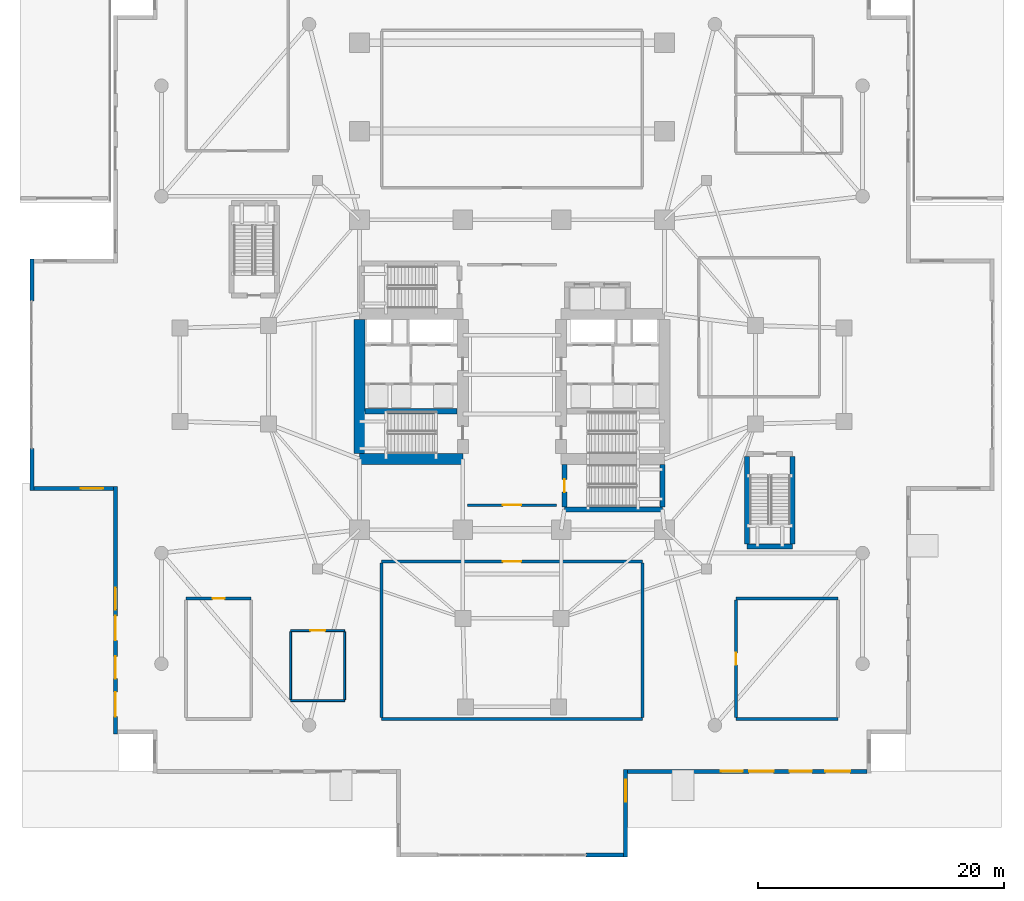
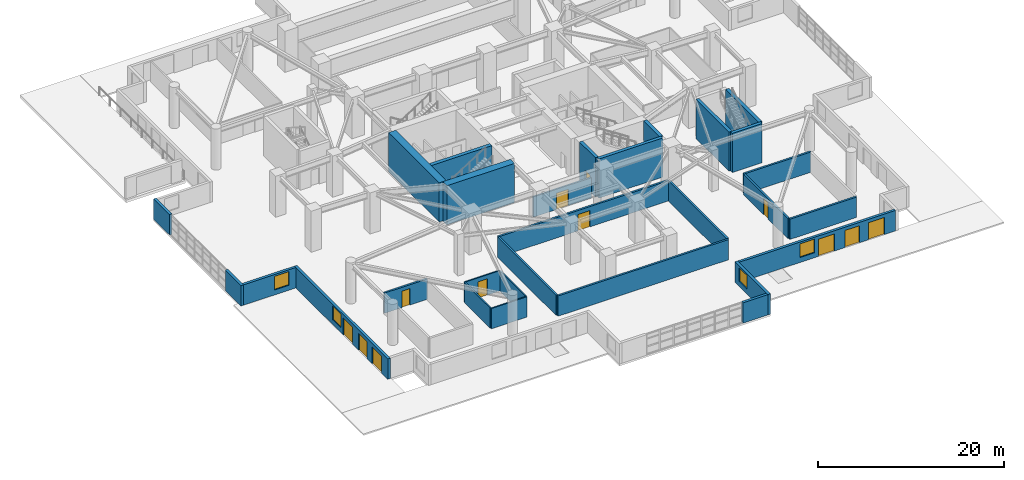
# One storey, part 13 of 24: 29 walls, 12 doors, 4 windows, 16 openings.
"""IFC4 building model written with IfcOpenShell, lengths in metres."""

from ifc_helpers import new_model, si_unit, direction, frame, frame_2d, origin, place, context, subcontext, project, spatial, rectangle, extrude, material, layer, layer_set, type_object, element, fill, save


model = new_model("IFC4")

# Units and contexts
model_context = context("Model", 3, precision=1e-05, world=origin(), true_north=direction((0.0, 1.0)))
body_context = subcontext(model_context, "Body", "Model", "MODEL_VIEW")
ifc_project = project(units=[si_unit("LENGTHUNIT", "METRE"), si_unit("AREAUNIT", "SQUARE_METRE"), si_unit("VOLUMEUNIT", "CUBIC_METRE"), si_unit("PLANEANGLEUNIT", "RADIAN"), si_unit("MASSUNIT", "GRAM", prefix="KILO")], contexts=[model_context])

# Site, building, storey
site_placement = place(None, origin())
site = spatial("IfcSite", under=ifc_project, at=site_placement, CompositionType="ELEMENT")
building_placement = place(site_placement, origin())
building = spatial("IfcBuilding", under=site, at=building_placement, Name="Qingluan Cross Belvedere", CompositionType="ELEMENT")
storey_placement = place(building_placement, origin())
storey = spatial("IfcBuildingStorey", under=building, at=storey_placement, Name="L01", CompositionType="ELEMENT", Elevation=0.0)

# Walls
ifc_material_1 = material(Name="Concrete C50", Category="concrete")
ifc_layer_1 = layer(ifc_material_1, 0.449951171875, Name="CoreShearWall_450")
ifc_layer_set_1 = layer_set([ifc_layer_1], Name="Concrete C50")
wall_type_1 = type_object("IfcWallType", Name="CoreShearWall_450", PredefinedType="SHEAR", material=ifc_layer_set_1)
wall_1_placement = place(storey_placement, frame((-11.945068359375, -2.9599609375, 0.0), z_axis=(0.0, 0.0, 1.0), x_axis=(1.0, 0.0, 0.0)))
element("IfcWall", 1, at=wall_1_placement, inside=storey, type_object=wall_type_1, Name="Split core W shear wall L01-M", PredefinedType="SHEAR", context=body_context, shape_type="SweptSolid", body=[
    extrude(rectangle(XDim=7.489990234375, YDim=0.449951171875, at=frame_2d((3.7451171875, 0.0))), origin(), (0.0, 0.0, 1.0), 5.14990234375),
])
wall_2_placement = place(storey_placement, frame((4.260009765625, -10.93994140625, 0.0), z_axis=(0.0, 0.0, 1.0), x_axis=(1.0, 0.0, 0.0)))
element("IfcWall", 2, at=wall_2_placement, inside=storey, type_object=wall_type_1, Name="Stair ST4 structural wall S L01", PredefinedType="SHEAR", context=body_context, shape_type="SweptSolid", body=[
    extrude(rectangle(XDim=7.9599609375, YDim=0.39990234375, at=frame_2d((3.97998046875, 0.0))), origin(), (0.0, 0.0, 1.0), 5.14990234375),
])

# Wall, opening, door
wall_3_placement = place(storey_placement, frame((4.260009765625, -10.735107421875, 0.0), z_axis=(0.0, 0.0, 1.0), x_axis=(0.0, 1.0, 0.0)))
wall_3 = element("IfcWall", 3, at=wall_3_placement, inside=storey, type_object=wall_type_1, Name="Stair ST4 structural wall W L01", PredefinedType="SHEAR", context=body_context, shape_type="SweptSolid", body=[
    extrude(rectangle(XDim=3.43017578125, YDim=0.39990234375, at=frame_2d((1.715087890625, 0.0))), origin(), (0.0, 0.0, 1.0), 5.14990234375),
])
opening_1_placement = place(wall_3_placement, frame((1.18505859375, 0.0, 0.0)))
opening_1 = element("IfcOpeningElement", 4, at=opening_1_placement, cuts=wall_3, Name="Opening FD-B11", PredefinedType="OPENING", context=body_context, shape_type="SweptSolid", body=[
    extrude(rectangle(XDim=1.050048828125, YDim=2.14990234375, at=frame_2d((0.52490234375, 1.074951171875))), frame((0.0, 0.2099609375, 0.0), z_axis=(0.0, -1.0, 0.0), x_axis=(1.0, 0.0, 0.0)), (0.0, 0.0, 1.0), 0.419921875),
])
ifc_material_2 = material(Name="Steel Class B smoke-seal fire door", Category="steel")
door_type_1 = type_object("IfcDoorType", Name="StairLobbyFireDoor_FDB", OperationType="NOTDEFINED", PredefinedType="DOOR", material=ifc_material_2)
door_1_placement = place(opening_1_placement, origin())
door_1 = element("IfcDoor", 5, at=door_1_placement, inside=storey, type_object=door_type_1, Name="Smoke-proof stair ST4 fire door L01", OperationType="SINGLE_SWING_LEFT", OverallHeight=2.14990234375, OverallWidth=1.050048828125, PredefinedType="DOOR", context=body_context, shape_type="SweptSolid", body=[
    extrude(rectangle(XDim=1.050048828125, YDim=2.14990234375, at=frame_2d((0.52490234375, 1.074951171875))), frame((0.0, 0.02490234375, 0.0), z_axis=(0.0, -1.0, 0.0), x_axis=(1.0, 0.0, 0.0)), (0.0, 0.0, 1.0), 0.050048828125),
])
fill(opening_1, door_1)

# Walls
wall_4_placement = place(storey_placement, frame((12.219970703125, -10.735107421875, 0.0), z_axis=(0.0, 0.0, 1.0), x_axis=(0.0, 1.0, 0.0)))
element("IfcWall", 6, at=wall_4_placement, inside=storey, type_object=wall_type_1, Name="Stair ST4 structural wall E L01", PredefinedType="SHEAR", context=body_context, shape_type="SweptSolid", body=[
    extrude(rectangle(XDim=3.43017578125, YDim=0.39990234375, at=frame_2d((1.715087890625, 0.0))), origin(), (0.0, 0.0, 1.0), 5.14990234375),
])
wall_5_placement = place(storey_placement, frame((19.1201171875, -13.949951171875, 0.0), z_axis=(0.0, 0.0, 1.0), x_axis=(1.0, 0.0, 0.0)))
element("IfcWall", 7, at=wall_5_placement, inside=storey, type_object=wall_type_1, Name="Stair ST6 structural wall S L01", PredefinedType="SHEAR", context=body_context, shape_type="SweptSolid", body=[
    extrude(rectangle(XDim=3.699951171875, YDim=0.39990234375, at=frame_2d((1.85009765625, 0.0))), origin(), (0.0, 0.0, 1.0), 5.14990234375),
])
for number, where, z_axis, x_axis, name in (
    (8, (19.1201171875, -13.7451171875, 0.0), (0.0, 0.0, 1.0), (0.0, 1.0, 0.0), "Stair ST6 structural wall W L01"),
    (9, (22.820068359375, -13.7451171875, 0.0), (0.0, 0.0, 1.0), (0.0, 1.0, 0.0), "Stair ST6 structural wall E L01"),
):
    element("IfcWall", number, at=place(storey_placement, frame(where, z_axis=z_axis, x_axis=x_axis)), inside=storey, type_object=wall_type_1, Name=name, PredefinedType="SHEAR", context=body_context, shape_type="SweptSolid", body=[
        extrude(rectangle(XDim=7.110107421875, YDim=0.39990234375, at=frame_2d((3.55517578125, 0.0))), origin(), (0.0, 0.0, 1.0), 5.14990234375),
    ])
ifc_material_3 = material(Name="Concrete C70", Category="concrete")
ifc_layer_2 = layer(ifc_material_3, 0.89990234375, Name="CoreShearWall_900")
ifc_layer_set_2 = layer_set([ifc_layer_2], Name="Concrete C70")
wall_type_2 = type_object("IfcWallType", Name="CoreShearWall_900", PredefinedType="SHEAR", material=ifc_layer_set_2)
wall_6_placement = place(storey_placement, frame((-12.39990234375, -6.85009765625, 0.0), z_axis=(0.0, 0.0, 1.0), x_axis=(1.0, 0.0, 0.0)))
element("IfcWall", 10, at=wall_6_placement, inside=storey, type_object=wall_type_2, Name="Split core W shear wall L01-S", PredefinedType="SHEAR", context=body_context, shape_type="SweptSolid", body=[
    extrude(rectangle(XDim=8.39990234375, YDim=0.89990234375, at=frame_2d((4.199951171875, 0.0))), origin(), (0.0, 0.0, 1.0), 5.14990234375),
])
wall_7_placement = place(storey_placement, frame((-12.39990234375, -6.39501953125, 0.0), z_axis=(0.0, 0.0, 1.0), x_axis=(0.0, 1.0, 0.0)))
element("IfcWall", 11, at=wall_7_placement, inside=storey, type_object=wall_type_2, Name="Split core W shear wall L01-W", PredefinedType="SHEAR", context=body_context, shape_type="SweptSolid", body=[
    extrude(rectangle(XDim=10.89013671875, YDim=0.89990234375, at=frame_2d((5.445068359375, 0.0))), origin(), (0.0, 0.0, 1.0), 5.14990234375),
])

# Wall, opening, door
ifc_material_4 = material(Name="Gypsum plasterboard on steel stud acoustic partition", Category="steel")
ifc_layer_3 = layer(ifc_material_4, 0.159912109375, Name="CorridorPartition_160")
ifc_layer_set_3 = layer_set([ifc_layer_3], Name="Gypsum plasterboard on steel stud acoustic partition")
wall_type_3 = type_object("IfcWallType", Name="CorridorPartition_160", PredefinedType="PARTITIONING", material=ifc_layer_set_3)
wall_8_placement = place(storey_placement, frame((-3.60009765625, -10.60009765625, 0.0), z_axis=(0.0, 0.0, 1.0), x_axis=(1.0, 0.0, 0.0)))
wall_8 = element("IfcWall", 12, at=wall_8_placement, inside=storey, type_object=wall_type_3, Name="Partition L01:ll_s:S", PredefinedType="PARTITIONING", context=body_context, shape_type="SweptSolid", body=[
    extrude(rectangle(XDim=7.2001953125, YDim=0.199951171875, at=frame_2d((3.60009765625, 0.0))), origin(), (0.0, 0.0, 1.0), 2.669921875),
])
opening_2_placement = place(wall_8_placement, frame((2.85009765625, 0.0, 0.0)))
opening_2 = element("IfcOpeningElement", 13, at=opening_2_placement, cuts=wall_8, Name="Opening FD-A15", PredefinedType="OPENING", context=body_context, shape_type="SweptSolid", body=[
    extrude(rectangle(XDim=1.5, YDim=2.14990234375, at=frame_2d((0.75, 1.074951171875))), frame((0.0, 0.10986328125, 0.0), z_axis=(0.0, -1.0, 0.0), x_axis=(1.0, 0.0, 0.0)), (0.0, 0.0, 1.0), 0.219970703125),
])
ifc_material_5 = material(Name="Insulated steel Class A double fire door", Category="steel")
door_type_2 = type_object("IfcDoorType", Name="PlantDoubleFireDoor_FDA", OperationType="DOUBLE_DOOR_SINGLE_SWING", PredefinedType="DOOR", material=ifc_material_5)
door_2_placement = place(opening_2_placement, origin())
door_2 = element("IfcDoor", 14, at=door_2_placement, inside=storey, type_object=door_type_2, Name="Ground stair lobby south exit door L01", OperationType="DOUBLE_DOOR_SINGLE_SWING", OverallHeight=2.14990234375, OverallWidth=1.5, PredefinedType="DOOR", context=body_context, shape_type="SweptSolid", body=[
    extrude(rectangle(XDim=1.5, YDim=2.14990234375, at=frame_2d((0.75, 1.074951171875))), frame((0.0, 0.02490234375, 0.0), z_axis=(0.0, -1.0, 0.0), x_axis=(1.0, 0.0, 0.0)), (0.0, 0.0, 1.0), 0.050048828125),
])
fill(opening_2, door_2)

# Wall
wall_9_placement = place(storey_placement, frame((-18.0, -26.5, 0.0), z_axis=(0.0, 0.0, 1.0), x_axis=(1.0, 0.0, 0.0)))
element("IfcWall", 15, at=wall_9_placement, inside=storey, type_object=wall_type_3, Name="Partition L01:fire_ctrl:S", PredefinedType="PARTITIONING", context=body_context, shape_type="SweptSolid", body=[
    extrude(rectangle(XDim=4.39990234375, YDim=0.159912109375, at=frame_2d((2.199951171875, 0.0))), origin(), (0.0, 0.0, 1.0), 2.669921875),
])

# Wall, opening, door
wall_10_placement = place(storey_placement, frame((-18.0, -20.800048828125, 0.0), z_axis=(0.0, 0.0, 1.0), x_axis=(1.0, 0.0, 0.0)))
wall_10 = element("IfcWall", 16, at=wall_10_placement, inside=storey, type_object=wall_type_3, Name="Partition L01:fire_ctrl:N", PredefinedType="PARTITIONING", context=body_context, shape_type="SweptSolid", body=[
    extrude(rectangle(XDim=4.39990234375, YDim=0.159912109375, at=frame_2d((2.199951171875, 0.0))), origin(), (0.0, 0.0, 1.0), 2.669921875),
])
opening_3_placement = place(wall_10_placement, frame((1.60009765625, 0.0, 0.0)))
opening_3 = element("IfcOpeningElement", 17, at=opening_3_placement, cuts=wall_10, Name="Opening FD-A12", PredefinedType="OPENING", context=body_context, shape_type="SweptSolid", body=[
    extrude(rectangle(XDim=1.199951171875, YDim=2.14990234375, at=frame_2d((0.60009765625, 1.074951171875))), frame((0.0, 0.08984375, 0.0), z_axis=(0.0, -1.0, 0.0), x_axis=(1.0, 0.0, 0.0)), (0.0, 0.0, 1.0), 0.179931640625),
])
ifc_material_6 = material(Name="Insulated steel Class A fire door", Category="steel")
door_type_3 = type_object("IfcDoorType", Name="RefugeCompartmentDoor_FDA", OperationType="NOTDEFINED", PredefinedType="DOOR", material=ifc_material_6)
door_3_placement = place(opening_3_placement, origin())
door_3 = element("IfcDoor", 18, at=door_3_placement, inside=storey, type_object=door_type_3, Name="Fire control room L01 door", OperationType="SINGLE_SWING_RIGHT", OverallHeight=2.14990234375, OverallWidth=1.199951171875, PredefinedType="DOOR", context=body_context, shape_type="SweptSolid", body=[
    extrude(rectangle(XDim=1.199951171875, YDim=2.14990234375, at=frame_2d((0.60009765625, 1.074951171875))), frame((0.0, 0.02490234375, 0.0), z_axis=(0.0, -1.0, 0.0), x_axis=(1.0, 0.0, 0.0)), (0.0, 0.0, 1.0), 0.050048828125),
])
fill(opening_3, door_3)

# Walls
for number, where, z_axis, x_axis, name in (
    (19, (-18.0, -26.4150390625, 0.0), (0.0, 0.0, 1.0), (0.0, 1.0, 0.0), "Partition L01:fire_ctrl:W"),
    (20, (-13.60009765625, -26.4150390625, 0.0), (0.0, 0.0, 1.0), (0.0, 1.0, 0.0), "Partition L01:fire_ctrl:E"),
):
    element("IfcWall", number, at=place(storey_placement, frame(where, z_axis=z_axis, x_axis=x_axis)), inside=storey, type_object=wall_type_3, Name=name, PredefinedType="PARTITIONING", context=body_context, shape_type="SweptSolid", body=[
        extrude(rectangle(XDim=5.530029296875, YDim=0.159912109375, at=frame_2d((2.76513671875, 0.0))), origin(), (0.0, 0.0, 1.0), 2.669921875),
    ])
ifc_material_7 = material(Name="Concrete C40", Category="concrete")
ifc_layer_4 = layer(ifc_material_7, 0.300048828125, Name="FireCompartmentWall_300")
ifc_layer_set_4 = layer_set([ifc_layer_4], Name="Concrete C40")
wall_type_4 = type_object("IfcWallType", Name="FireCompartmentWall_300", PredefinedType="SOLIDWALL", material=ifc_layer_set_4)
wall_11_placement = place(storey_placement, frame((-10.60009765625, -28.0, 0.0), z_axis=(0.0, 0.0, 1.0), x_axis=(1.0, 0.0, 0.0)))
element("IfcWall", 21, at=wall_11_placement, inside=storey, type_object=wall_type_4, Name="Partition L01:hotel_reception:S", PredefinedType="SOLIDWALL", context=body_context, shape_type="SweptSolid", body=[
    extrude(rectangle(XDim=21.2001953125, YDim=0.239990234375, at=frame_2d((10.60009765625, 0.0))), origin(), (0.0, 0.0, 1.0), 2.669921875),
])

# Wall, opening, door
wall_12_placement = place(storey_placement, frame((-10.60009765625, -15.199951171875, 0.0), z_axis=(0.0, 0.0, 1.0), x_axis=(1.0, 0.0, 0.0)))
wall_12 = element("IfcWall", 22, at=wall_12_placement, inside=storey, type_object=wall_type_4, Name="Partition L01:hotel_reception:N", PredefinedType="SOLIDWALL", context=body_context, shape_type="SweptSolid", body=[
    extrude(rectangle(XDim=21.2001953125, YDim=0.239990234375, at=frame_2d((10.60009765625, 0.0))), origin(), (0.0, 0.0, 1.0), 2.669921875),
])
opening_4_placement = place(wall_12_placement, frame((9.85009765625, 0.0, 0.0)))
opening_4 = element("IfcOpeningElement", 23, at=opening_4_placement, cuts=wall_12, Name="Opening FD-A15", PredefinedType="OPENING", context=body_context, shape_type="SweptSolid", body=[
    extrude(rectangle(XDim=1.5, YDim=2.14990234375, at=frame_2d((0.75, 1.074951171875))), frame((0.0, 0.1298828125, 0.0), z_axis=(0.0, -1.0, 0.0), x_axis=(1.0, 0.0, 0.0)), (0.0, 0.0, 1.0), 0.260009765625),
])
door_4_placement = place(opening_4_placement, origin())
door_4 = element("IfcDoor", 24, at=door_4_placement, inside=storey, type_object=door_type_2, Name="Main hotel reception and concierge hall L01 door", OperationType="DOUBLE_DOOR_SINGLE_SWING", OverallHeight=2.14990234375, OverallWidth=1.5, PredefinedType="DOOR", context=body_context, shape_type="SweptSolid", body=[
    extrude(rectangle(XDim=1.5, YDim=2.14990234375, at=frame_2d((0.75, 1.074951171875))), frame((0.0, 0.02490234375, 0.0), z_axis=(0.0, -1.0, 0.0), x_axis=(1.0, 0.0, 0.0)), (0.0, 0.0, 1.0), 0.050048828125),
])
fill(opening_4, door_4)

# Walls
for number, where, z_axis, x_axis, name in (
    (25, (-10.60009765625, -27.875, 0.0), (0.0, 0.0, 1.0), (0.0, 1.0, 0.0), "Partition L01:hotel_reception:W"),
    (26, (10.60009765625, -27.875, 0.0), (0.0, 0.0, 1.0), (0.0, 1.0, 0.0), "Partition L01:hotel_reception:E"),
):
    element("IfcWall", number, at=place(storey_placement, frame(where, z_axis=z_axis, x_axis=x_axis)), inside=storey, type_object=wall_type_4, Name=name, PredefinedType="SOLIDWALL", context=body_context, shape_type="SweptSolid", body=[
        extrude(rectangle(XDim=12.550048828125, YDim=0.239990234375, at=frame_2d((6.27490234375, 0.0))), origin(), (0.0, 0.0, 1.0), 2.669921875),
    ])
for number, where, z_axis, x_axis, name in (
    (27, (18.199951171875, -28.0, 0.0), (0.0, 0.0, 1.0), (1.0, 0.0, 0.0), "Partition L01:all_day_dining:S"),
    (28, (18.199951171875, -18.199951171875, 0.0), (0.0, 0.0, 1.0), (1.0, 0.0, 0.0), "Partition L01:all_day_dining:N"),
):
    element("IfcWall", number, at=place(storey_placement, frame(where, z_axis=z_axis, x_axis=x_axis)), inside=storey, type_object=wall_type_4, Name=name, PredefinedType="SOLIDWALL", context=body_context, shape_type="SweptSolid", body=[
        extrude(rectangle(XDim=8.300048828125, YDim=0.239990234375, at=frame_2d((4.14990234375, 0.0))), origin(), (0.0, 0.0, 1.0), 2.669921875),
    ])

# Wall, opening, door
wall_13_placement = place(storey_placement, frame((18.199951171875, -27.875, 0.0), z_axis=(0.0, 0.0, 1.0), x_axis=(0.0, 1.0, 0.0)))
wall_13 = element("IfcWall", 29, at=wall_13_placement, inside=storey, type_object=wall_type_4, Name="Partition L01:all_day_dining:W", PredefinedType="SOLIDWALL", context=body_context, shape_type="SweptSolid", body=[
    extrude(rectangle(XDim=9.550048828125, YDim=0.239990234375, at=frame_2d((4.77490234375, 0.0))), origin(), (0.0, 0.0, 1.0), 2.669921875),
])
opening_5_placement = place(wall_13_placement, frame((4.294921875, 0.0, 0.0)))
opening_5 = element("IfcOpeningElement", 30, at=opening_5_placement, cuts=wall_13, Name="Opening GD-10", PredefinedType="OPENING", context=body_context, shape_type="SweptSolid", body=[
    extrude(rectangle(XDim=0.9599609375, YDim=2.14990234375, at=frame_2d((0.47998046875, 1.074951171875))), frame((0.0, 0.1298828125, 0.0), z_axis=(0.0, -1.0, 0.0), x_axis=(1.0, 0.0, 0.0)), (0.0, 0.0, 1.0), 0.260009765625),
])
ifc_material_8 = material(Name="Timber oak fire-rated acoustic guestroom door", Category="wood")
door_type_4 = type_object("IfcDoorType", Name="GuestEntryDoor_FD60", OperationType="NOTDEFINED", PredefinedType="DOOR", material=ifc_material_8)
door_5_placement = place(opening_5_placement, origin())
door_5 = element("IfcDoor", 31, at=door_5_placement, inside=storey, type_object=door_type_4, Name="Atrium all-day dining restaurant L01 door", OperationType="SINGLE_SWING_RIGHT", OverallHeight=2.14990234375, OverallWidth=0.9599609375, PredefinedType="DOOR", context=body_context, shape_type="SweptSolid", body=[
    extrude(rectangle(XDim=0.9599609375, YDim=2.14990234375, at=frame_2d((0.47998046875, 1.074951171875))), frame((0.0, 0.02490234375, 0.0), z_axis=(0.0, -1.0, 0.0), x_axis=(1.0, 0.0, 0.0)), (0.0, 0.0, 1.0), 0.050048828125),
])
fill(opening_5, door_5)

wall_14_placement = place(storey_placement, frame((-26.5, -18.199951171875, 0.0), z_axis=(0.0, 0.0, 1.0), x_axis=(1.0, 0.0, 0.0)))
wall_14 = element("IfcWall", 32, at=wall_14_placement, inside=storey, type_object=wall_type_4, Name="Partition L01:main_kitchen:N", PredefinedType="SOLIDWALL", context=body_context, shape_type="SweptSolid", body=[
    extrude(rectangle(XDim=5.300048828125, YDim=0.239990234375, at=frame_2d((2.64990234375, 0.0))), origin(), (0.0, 0.0, 1.0), 2.669921875),
])
opening_6_placement = place(wall_14_placement, frame((2.169921875, 0.0, 0.0)))
opening_6 = element("IfcOpeningElement", 33, at=opening_6_placement, cuts=wall_14, Name="Opening GD-10", PredefinedType="OPENING", context=body_context, shape_type="SweptSolid", body=[
    extrude(rectangle(XDim=0.9599609375, YDim=2.14990234375, at=frame_2d((0.47998046875, 1.074951171875))), frame((0.0, 0.1298828125, 0.0), z_axis=(0.0, -1.0, 0.0), x_axis=(1.0, 0.0, 0.0)), (0.0, 0.0, 1.0), 0.260009765625),
])
door_6_placement = place(opening_6_placement, origin())
door_6 = element("IfcDoor", 34, at=door_6_placement, inside=storey, type_object=door_type_4, Name="Central hotel catering kitchen L01 door", OperationType="SINGLE_SWING_LEFT", OverallHeight=2.14990234375, OverallWidth=0.9599609375, PredefinedType="DOOR", context=body_context, shape_type="SweptSolid", body=[
    extrude(rectangle(XDim=0.9599609375, YDim=2.14990234375, at=frame_2d((0.47998046875, 1.074951171875))), frame((0.0, 0.02490234375, 0.0), z_axis=(0.0, -1.0, 0.0), x_axis=(1.0, 0.0, 0.0)), (0.0, 0.0, 1.0), 0.050048828125),
])
fill(opening_6, door_6)

# Wall, openings, doors, window
ifc_material_9 = material(Name="Precast concrete C45", Category="concrete")
ifc_layer_5 = layer(ifc_material_9, 0.320068359375, Name="PrecastPodiumWall_320")
ifc_layer_set_5 = layer_set([ifc_layer_5], Name="Precast concrete C45")
wall_type_5 = type_object("IfcWallType", Name="PrecastPodiumWall_320", PredefinedType="STANDARD", material=ifc_layer_set_5)
wall_15_placement = place(storey_placement, frame((28.8798828125, -32.239990234375, 0.0), z_axis=(0.0, 0.0, 1.0), x_axis=(-1.0, 0.0, 0.0)))
wall_15 = element("IfcWall", 35, at=wall_15_placement, inside=storey, type_object=wall_type_5, Name="Podium precast facade wall L01-S1", PredefinedType="STANDARD", context=body_context, shape_type="SweptSolid", body=[
    extrude(rectangle(XDim=19.47998046875, YDim=0.320068359375, at=frame_2d((9.739990234375, 0.0))), origin(), (0.0, 0.0, 1.0), 2.679931640625),
])
opening_7_placement = place(wall_15_placement, frame((1.39990234375, 0.0, 0.0)))
opening_7 = element("IfcOpeningElement", 36, at=opening_7_placement, cuts=wall_15, Name="Opening ED-20", PredefinedType="OPENING", context=body_context, shape_type="SweptSolid", body=[
    extrude(rectangle(XDim=2.0, YDim=2.25, at=frame_2d((1.0, 1.125))), frame((0.0, 0.169921875, 0.0), z_axis=(0.0, -1.0, 0.0), x_axis=(1.0, 0.0, 0.0)), (0.0, 0.0, 1.0), 0.340087890625),
])
opening_8_placement = place(wall_15_placement, frame((4.5, 0.0, 0.0)))
opening_8 = element("IfcOpeningElement", 37, at=opening_8_placement, cuts=wall_15, Name="Opening ED-18", PredefinedType="OPENING", context=body_context, shape_type="SweptSolid", body=[
    extrude(rectangle(XDim=1.800048828125, YDim=2.25, at=frame_2d((0.89990234375, 1.125))), frame((0.0, 0.169921875, 0.0), z_axis=(0.0, -1.0, 0.0), x_axis=(1.0, 0.0, 0.0)), (0.0, 0.0, 1.0), 0.340087890625),
])
opening_9_placement = place(wall_15_placement, frame((7.60009765625, 0.0, 0.0)))
opening_9 = element("IfcOpeningElement", 38, at=opening_9_placement, cuts=wall_15, Name="Opening ED-20", PredefinedType="OPENING", context=body_context, shape_type="SweptSolid", body=[
    extrude(rectangle(XDim=2.0, YDim=2.25, at=frame_2d((1.0, 1.125))), frame((0.0, 0.169921875, 0.0), z_axis=(0.0, -1.0, 0.0), x_axis=(1.0, 0.0, 0.0)), (0.0, 0.0, 1.0), 0.340087890625),
])
opening_10_placement = place(wall_15_placement, frame((10.10009765625, 0.0, 0.64990234375)))
opening_10 = element("IfcOpeningElement", 39, at=opening_10_placement, cuts=wall_15, Name="Opening W-06", PredefinedType="OPENING", context=body_context, shape_type="SweptSolid", body=[
    extrude(rectangle(XDim=1.800048828125, YDim=1.800048828125, at=frame_2d((0.89990234375, 0.89990234375))), frame((0.0, 0.169921875, 0.0), z_axis=(0.0, -1.0, 0.0), x_axis=(1.0, 0.0, 0.0)), (0.0, 0.0, 1.0), 0.340087890625),
])
ifc_material_10 = material(Name="Anodised aluminium and toughened safety glass", Category="aluminium")
door_type_5 = type_object("IfcDoorType", Name="GroundExitDoubleDoor_1800", OperationType="DOUBLE_DOOR_SINGLE_SWING", PredefinedType="DOOR", material=ifc_material_10)
door_7_placement = place(opening_8_placement, origin())
door_7 = element("IfcDoor", 40, at=door_7_placement, inside=storey, type_object=door_type_5, Name="Ground pedestrian final exit door ED-02", OperationType="DOUBLE_DOOR_SINGLE_SWING", OverallHeight=2.25, OverallWidth=1.800048828125, PredefinedType="DOOR", context=body_context, shape_type="SweptSolid", body=[
    extrude(rectangle(XDim=1.800048828125, YDim=2.25, at=frame_2d((0.89990234375, 1.125))), frame((0.0, 0.02490234375, 0.0), z_axis=(0.0, -1.0, 0.0), x_axis=(1.0, 0.0, 0.0)), (0.0, 0.0, 1.0), 0.050048828125),
])
fill(opening_8, door_7)
ifc_material_11 = material(Name="Anodised aluminium and toughened safety glass", Category="aluminium")
door_type_6 = type_object("IfcDoorType", Name="GroundExitDoubleDoor_2000", OperationType="DOUBLE_DOOR_SINGLE_SWING", PredefinedType="DOOR", material=ifc_material_11)
door_8_placement = place(opening_7_placement, origin())
door_8 = element("IfcDoor", 41, at=door_8_placement, inside=storey, type_object=door_type_6, Name="Ground pedestrian final exit door ED-01", OperationType="DOUBLE_DOOR_SINGLE_SWING", OverallHeight=2.25, OverallWidth=2.0, PredefinedType="DOOR", context=body_context, shape_type="SweptSolid", body=[
    extrude(rectangle(XDim=2.0, YDim=2.25, at=frame_2d((1.0, 1.125))), frame((0.0, 0.02490234375, 0.0), z_axis=(0.0, -1.0, 0.0), x_axis=(1.0, 0.0, 0.0)), (0.0, 0.0, 1.0), 0.050048828125),
])
fill(opening_7, door_8)
door_9_placement = place(opening_9_placement, origin())
door_9 = element("IfcDoor", 42, at=door_9_placement, inside=storey, type_object=door_type_6, Name="Ground pedestrian final exit door ED-03", OperationType="DOUBLE_DOOR_SINGLE_SWING", OverallHeight=2.25, OverallWidth=2.0, PredefinedType="DOOR", context=body_context, shape_type="SweptSolid", body=[
    extrude(rectangle(XDim=2.0, YDim=2.25, at=frame_2d((1.0, 1.125))), frame((0.0, 0.02490234375, 0.0), z_axis=(0.0, -1.0, 0.0), x_axis=(1.0, 0.0, 0.0)), (0.0, 0.0, 1.0), 0.050048828125),
])
fill(opening_9, door_9)
ifc_material_12 = material(Name="Thermally broken triple Low-E glass in aluminium frame", Category="aluminium")
window_type = type_object("IfcWindowType", Name="PodiumGalleryWin_1800x1800", PartitioningType="SINGLE_PANEL", PredefinedType="WINDOW", material=ifc_material_12)
window_1_placement = place(opening_10_placement, origin())
window_1 = element("IfcWindow", 43, at=window_1_placement, inside=storey, type_object=window_type, Name="Podium gallery window L01-S1", OverallHeight=1.800048828125, OverallWidth=1.800048828125, PartitioningType="SINGLE_PANEL", PredefinedType="WINDOW", context=body_context, shape_type="SweptSolid", body=[
    extrude(rectangle(XDim=1.800048828125, YDim=1.800048828125, at=frame_2d((0.89990234375, 0.89990234375))), frame((0.0, 0.030029296875, 0.0), z_axis=(0.0, -1.0, 0.0), x_axis=(1.0, 0.0, 0.0)), (0.0, 0.0, 1.0), 0.06005859375),
])
fill(opening_10, window_1)

# Wall, opening, window
wall_16_placement = place(storey_placement, frame((9.239990234375, -32.080078125, 0.0), z_axis=(0.0, 0.0, 1.0), x_axis=(0.0, -1.0, 0.0)))
wall_16 = element("IfcWall", 44, at=wall_16_placement, inside=storey, type_object=wall_type_5, Name="Podium precast facade wall L01-S2", PredefinedType="STANDARD", context=body_context, shape_type="SweptSolid", body=[
    extrude(rectangle(XDim=7.119873046875, YDim=0.320068359375, at=frame_2d((3.56005859375, 0.0))), origin(), (0.0, 0.0, 1.0), 2.679931640625),
])
opening_11_placement = place(wall_16_placement, frame((0.85009765625, 0.0, 0.64990234375)))
opening_11 = element("IfcOpeningElement", 45, at=opening_11_placement, cuts=wall_16, Name="Opening W-06", PredefinedType="OPENING", context=body_context, shape_type="SweptSolid", body=[
    extrude(rectangle(XDim=1.800048828125, YDim=1.800048828125, at=frame_2d((0.89990234375, 0.89990234375))), frame((0.0, 0.169921875, 0.0), z_axis=(0.0, -1.0, 0.0), x_axis=(1.0, 0.0, 0.0)), (0.0, 0.0, 1.0), 0.340087890625),
])
window_2_placement = place(opening_11_placement, origin())
window_2 = element("IfcWindow", 46, at=window_2_placement, inside=storey, type_object=window_type, Name="Podium gallery window L01-S2", OverallHeight=1.800048828125, OverallWidth=1.800048828125, PartitioningType="SINGLE_PANEL", PredefinedType="WINDOW", context=body_context, shape_type="SweptSolid", body=[
    extrude(rectangle(XDim=1.800048828125, YDim=1.800048828125, at=frame_2d((0.89990234375, 0.89990234375))), frame((0.0, 0.030029296875, 0.0), z_axis=(0.0, -1.0, 0.0), x_axis=(1.0, 0.0, 0.0)), (0.0, 0.0, 1.0), 0.06005859375),
])
fill(opening_11, window_2)

# Wall
wall_17_placement = place(storey_placement, frame((9.080078125, -39.0400390625, 0.0), z_axis=(0.0, 0.0, 1.0), x_axis=(-1.0, 0.0, 0.0)))
element("IfcWall", 47, at=wall_17_placement, inside=storey, type_object=wall_type_5, Name="Podium portal pier L01-P1JA", PredefinedType="STANDARD", context=body_context, shape_type="SweptSolid", body=[
    extrude(rectangle(XDim=3.080078125, YDim=0.320068359375, at=frame_2d((1.5400390625, 0.0))), origin(), (0.0, 0.0, 1.0), 2.679931640625),
])

# Wall, openings, doors, window
wall_18_placement = place(storey_placement, frame((-32.239990234375, -29.199951171875, 0.0), z_axis=(0.0, 0.0, 1.0), x_axis=(0.0, 1.0, 0.0)))
wall_18 = element("IfcWall", 48, at=wall_18_placement, inside=storey, type_object=wall_type_5, Name="Podium precast facade wall L01-S9", PredefinedType="STANDARD", context=body_context, shape_type="SweptSolid", body=[
    extrude(rectangle(XDim=20.119873046875, YDim=0.320068359375, at=frame_2d((10.06005859375, 0.0))), origin(), (0.0, 0.0, 1.0), 2.679931640625),
])
opening_12_placement = place(wall_18_placement, frame((1.39990234375, 0.0, 0.0)))
opening_12 = element("IfcOpeningElement", 49, at=opening_12_placement, cuts=wall_18, Name="Opening ED-20", PredefinedType="OPENING", context=body_context, shape_type="SweptSolid", body=[
    extrude(rectangle(XDim=2.0, YDim=2.25, at=frame_2d((1.0, 1.125))), frame((0.0, 0.169921875, 0.0), z_axis=(0.0, -1.0, 0.0), x_axis=(1.0, 0.0, 0.0)), (0.0, 0.0, 1.0), 0.340087890625),
])
opening_13_placement = place(wall_18_placement, frame((4.5, 0.0, 0.0)))
opening_13 = element("IfcOpeningElement", 50, at=opening_13_placement, cuts=wall_18, Name="Opening ED-18", PredefinedType="OPENING", context=body_context, shape_type="SweptSolid", body=[
    extrude(rectangle(XDim=1.800048828125, YDim=2.25, at=frame_2d((0.89990234375, 1.125))), frame((0.0, 0.169921875, 0.0), z_axis=(0.0, -1.0, 0.0), x_axis=(1.0, 0.0, 0.0)), (0.0, 0.0, 1.0), 0.340087890625),
])
opening_14_placement = place(wall_18_placement, frame((7.60009765625, 0.0, 0.0)))
opening_14 = element("IfcOpeningElement", 51, at=opening_14_placement, cuts=wall_18, Name="Opening ED-20", PredefinedType="OPENING", context=body_context, shape_type="SweptSolid", body=[
    extrude(rectangle(XDim=2.0, YDim=2.25, at=frame_2d((1.0, 1.125))), frame((0.0, 0.169921875, 0.0), z_axis=(0.0, -1.0, 0.0), x_axis=(1.0, 0.0, 0.0)), (0.0, 0.0, 1.0), 0.340087890625),
])
opening_15_placement = place(wall_18_placement, frame((10.10009765625, 0.0, 0.64990234375)))
opening_15 = element("IfcOpeningElement", 52, at=opening_15_placement, cuts=wall_18, Name="Opening W-06", PredefinedType="OPENING", context=body_context, shape_type="SweptSolid", body=[
    extrude(rectangle(XDim=1.800048828125, YDim=1.800048828125, at=frame_2d((0.89990234375, 0.89990234375))), frame((0.0, 0.169921875, 0.0), z_axis=(0.0, -1.0, 0.0), x_axis=(1.0, 0.0, 0.0)), (0.0, 0.0, 1.0), 0.340087890625),
])
door_10_placement = place(opening_13_placement, origin())
door_10 = element("IfcDoor", 53, at=door_10_placement, inside=storey, type_object=door_type_5, Name="Ground pedestrian final exit door ED-08", OperationType="DOUBLE_DOOR_SINGLE_SWING", OverallHeight=2.25, OverallWidth=1.800048828125, PredefinedType="DOOR", context=body_context, shape_type="SweptSolid", body=[
    extrude(rectangle(XDim=1.800048828125, YDim=2.25, at=frame_2d((0.89990234375, 1.125))), frame((0.0, 0.02490234375, 0.0), z_axis=(0.0, -1.0, 0.0), x_axis=(1.0, 0.0, 0.0)), (0.0, 0.0, 1.0), 0.050048828125),
])
fill(opening_13, door_10)
door_11_placement = place(opening_12_placement, origin())
door_11 = element("IfcDoor", 54, at=door_11_placement, inside=storey, type_object=door_type_6, Name="Ground pedestrian final exit door ED-07", OperationType="DOUBLE_DOOR_SINGLE_SWING", OverallHeight=2.25, OverallWidth=2.0, PredefinedType="DOOR", context=body_context, shape_type="SweptSolid", body=[
    extrude(rectangle(XDim=2.0, YDim=2.25, at=frame_2d((1.0, 1.125))), frame((0.0, 0.02490234375, 0.0), z_axis=(0.0, -1.0, 0.0), x_axis=(1.0, 0.0, 0.0)), (0.0, 0.0, 1.0), 0.050048828125),
])
fill(opening_12, door_11)
door_12_placement = place(opening_14_placement, origin())
door_12 = element("IfcDoor", 55, at=door_12_placement, inside=storey, type_object=door_type_6, Name="Ground pedestrian final exit door ED-09", OperationType="DOUBLE_DOOR_SINGLE_SWING", OverallHeight=2.25, OverallWidth=2.0, PredefinedType="DOOR", context=body_context, shape_type="SweptSolid", body=[
    extrude(rectangle(XDim=2.0, YDim=2.25, at=frame_2d((1.0, 1.125))), frame((0.0, 0.02490234375, 0.0), z_axis=(0.0, -1.0, 0.0), x_axis=(1.0, 0.0, 0.0)), (0.0, 0.0, 1.0), 0.050048828125),
])
fill(opening_14, door_12)
window_3_placement = place(opening_15_placement, origin())
window_3 = element("IfcWindow", 56, at=window_3_placement, inside=storey, type_object=window_type, Name="Podium gallery window L01-S9", OverallHeight=1.800048828125, OverallWidth=1.800048828125, PartitioningType="SINGLE_PANEL", PredefinedType="WINDOW", context=body_context, shape_type="SweptSolid", body=[
    extrude(rectangle(XDim=1.800048828125, YDim=1.800048828125, at=frame_2d((0.89990234375, 0.89990234375))), frame((0.0, 0.030029296875, 0.0), z_axis=(0.0, -1.0, 0.0), x_axis=(1.0, 0.0, 0.0)), (0.0, 0.0, 1.0), 0.06005859375),
])
fill(opening_15, window_3)

# Wall, opening, window
wall_19_placement = place(storey_placement, frame((-32.39990234375, -9.239990234375, 0.0), z_axis=(0.0, 0.0, 1.0), x_axis=(-1.0, 0.0, 0.0)))
wall_19 = element("IfcWall", 57, at=wall_19_placement, inside=storey, type_object=wall_type_5, Name="Podium precast facade wall L01-S10", PredefinedType="STANDARD", context=body_context, shape_type="SweptSolid", body=[
    extrude(rectangle(XDim=6.47998046875, YDim=0.320068359375, at=frame_2d((3.239990234375, 0.0))), origin(), (0.0, 0.0, 1.0), 2.679931640625),
])
opening_16_placement = place(wall_19_placement, frame((0.85009765625, 0.0, 0.64990234375)))
opening_16 = element("IfcOpeningElement", 58, at=opening_16_placement, cuts=wall_19, Name="Opening W-06", PredefinedType="OPENING", context=body_context, shape_type="SweptSolid", body=[
    extrude(rectangle(XDim=1.800048828125, YDim=1.800048828125, at=frame_2d((0.89990234375, 0.89990234375))), frame((0.0, 0.169921875, 0.0), z_axis=(0.0, -1.0, 0.0), x_axis=(1.0, 0.0, 0.0)), (0.0, 0.0, 1.0), 0.340087890625),
])
window_4_placement = place(opening_16_placement, origin())
window_4 = element("IfcWindow", 59, at=window_4_placement, inside=storey, type_object=window_type, Name="Podium gallery window L01-S10", OverallHeight=1.800048828125, OverallWidth=1.800048828125, PartitioningType="SINGLE_PANEL", PredefinedType="WINDOW", context=body_context, shape_type="SweptSolid", body=[
    extrude(rectangle(XDim=1.800048828125, YDim=1.800048828125, at=frame_2d((0.89990234375, 0.89990234375))), frame((0.0, 0.030029296875, 0.0), z_axis=(0.0, -1.0, 0.0), x_axis=(1.0, 0.0, 0.0)), (0.0, 0.0, 1.0), 0.06005859375),
])
fill(opening_16, window_4)

# Walls
for number, where, z_axis, x_axis, name in (
    (60, (-39.0400390625, -9.39990234375, 0.0), (0.0, 0.0, 1.0), (0.0, 1.0, 0.0), "Podium portal pier L01-P2JA"),
    (61, (-39.0400390625, 6.0, 0.0), (0.0, 0.0, 1.0), (0.0, 1.0, 0.0), "Podium portal pier L01-P2JB"),
):
    element("IfcWall", number, at=place(storey_placement, frame(where, z_axis=z_axis, x_axis=x_axis)), inside=storey, type_object=wall_type_5, Name=name, PredefinedType="STANDARD", context=body_context, shape_type="SweptSolid", body=[
        extrude(rectangle(XDim=3.39990234375, YDim=0.320068359375, at=frame_2d((1.699951171875, 0.0))), origin(), (0.0, 0.0, 1.0), 2.679931640625),
    ])

save(model, "model.ifc")
